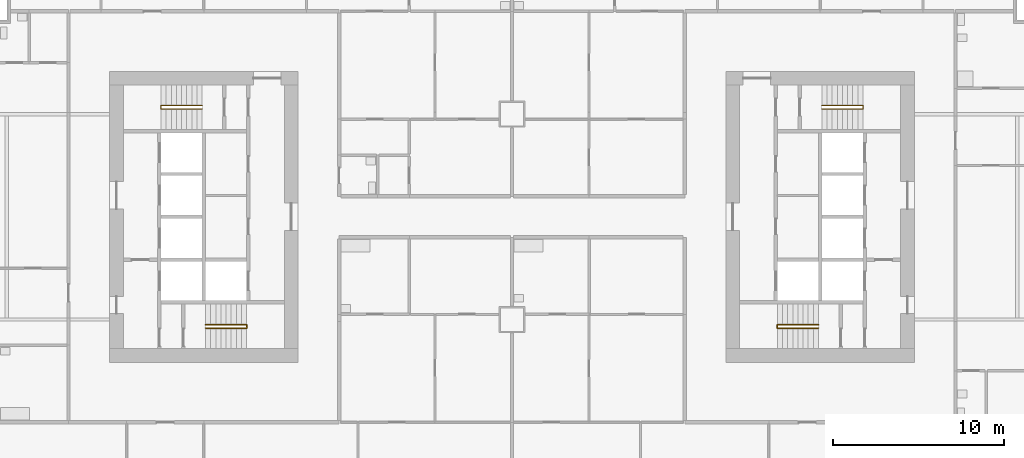
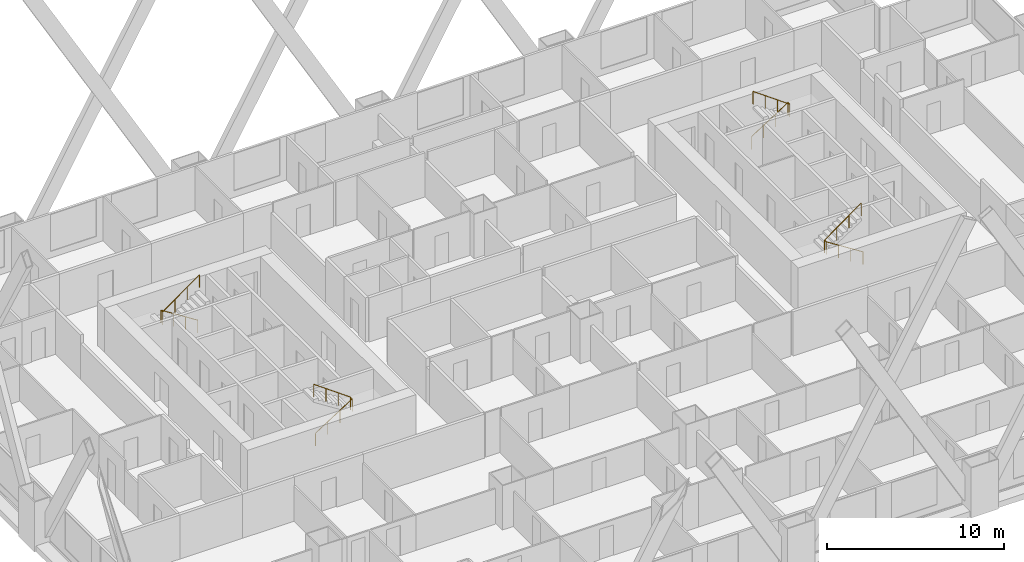
# One storey, part 12 of 13: 4 railings.
"""IFC4 building model written with IfcOpenShell, lengths in metres."""

import ifcopenshell
import ifcopenshell.guid

model = None  # the IFC model being written
_history = None  # IfcOwnerHistory: only IFC2X3 demands one
_inside = {}  # id of a spatial element -> (the spatial element, [elements in it])
_under = {}  # id of a project, library or spatial element -> (it, [spatial elements below it])
_declared = {}  # id of a project -> (the project, [libraries it declares])
_typed = {}  # id of a type object -> (the type object, [elements of that type])
_made_of = {}  # id of a material, layer set ... -> (it, [elements and type objects made of it])


def new_model(schema):
    """Start an empty IFC model of exactly this schema.

    Asked for "IFC4X3", IfcOpenShell would pick the latest addendum, in which some entities
    have other attributes; the version numbers below select the first issue.
    IFC2X3 requires an IfcOwnerHistory on every rooted entity: one is made here for all.
    """
    global model, _history
    if schema == "IFC4X3":
        model = ifcopenshell.file(schema_version=(4, 3, 0, 0))
    else:
        model = ifcopenshell.file(schema=schema)
    _inside.clear()
    _under.clear()
    _declared.clear()
    _typed.clear()
    _made_of.clear()
    _history = None
    if model.schema == "IFC2X3":
        org = make("IfcOrganization", Name="unknown")
        user = make(
            "IfcPersonAndOrganization",
            ThePerson=make("IfcPerson", FamilyName="unknown"),
            TheOrganization=org,
        )
        app = make(
            "IfcApplication",
            ApplicationDeveloper=org,
            Version="unknown",
            ApplicationFullName="unknown",
            ApplicationIdentifier="unknown",
        )
        _history = make(
            "IfcOwnerHistory",
            OwningUser=user,
            OwningApplication=app,
            ChangeAction="ADDED",
            CreationDate=0,
        )
    return model


def make(cls, **values):
    """One entity of the class cls with the attributes given. An attribute that is None is left unset."""
    return model.create_entity(
        cls, **{name: value for name, value in values.items() if value is not None}
    )


def rooted(cls, **values):
    """An entity with a GlobalId (a new one), such as an element, a storey or a relation."""
    return make(cls, GlobalId=ifcopenshell.guid.new(), OwnerHistory=_history, **values)


def si_unit(unit_type, name, prefix=None):
    """IfcSIUnit, for example si_unit("LENGTHUNIT", "METRE", prefix="MILLI")."""
    return make("IfcSIUnit", UnitType=unit_type, Prefix=prefix, Name=name)


def assignment(units):
    """IfcUnitAssignment: the units of a project."""
    return None if units is None else make("IfcUnitAssignment", Units=units)


def point(xyz):
    """IfcCartesianPoint."""
    return None if xyz is None else make("IfcCartesianPoint", Coordinates=xyz)


def direction(xyz):
    """IfcDirection."""
    return None if xyz is None else make("IfcDirection", DirectionRatios=xyz)


def frame(location, z_axis=None, x_axis=None):
    """IfcAxis2Placement3D, a coordinate frame: its origin and axes. An axis left out is left unset."""
    return make(
        "IfcAxis2Placement3D",
        Location=point(location),
        Axis=direction(z_axis),
        RefDirection=direction(x_axis),
    )


def frame_2d(location, x_axis=None):
    """IfcAxis2Placement2D, a coordinate frame in the plane: its origin and x axis."""
    return make(
        "IfcAxis2Placement2D", Location=point(location), RefDirection=direction(x_axis)
    )


def origin():
    """The frame at (0, 0, 0) with its axes left unset."""
    return frame((0.0, 0.0, 0.0))


def origin_2d():
    """The frame at (0, 0) in the plane with its x axis left unset."""
    return frame_2d((0.0, 0.0))


def place(relative_to, where):
    """IfcLocalPlacement: puts the frame where relative to a parent placement (None: the world)."""
    return make(
        "IfcLocalPlacement", PlacementRelTo=relative_to, RelativePlacement=where
    )


def context(
    kind, dimensions, precision=None, world=None, true_north=None, identifier=None
):
    """IfcGeometricRepresentationContext, for example the 3D "Model" context."""
    return make(
        "IfcGeometricRepresentationContext",
        ContextIdentifier=identifier,
        ContextType=kind,
        CoordinateSpaceDimension=dimensions,
        Precision=precision,
        WorldCoordinateSystem=world,
        TrueNorth=true_north,
    )


def subcontext(parent, identifier, kind, view, scale=None):
    """IfcGeometricRepresentationSubContext, for example "Body" below "Model"."""
    return make(
        "IfcGeometricRepresentationSubContext",
        ContextIdentifier=identifier,
        ContextType=kind,
        ParentContext=parent,
        TargetScale=scale,
        TargetView=view,
    )


def project(units=None, contexts=None):
    """IfcProject with its units and contexts."""
    return rooted(
        "IfcProject",
        Name="project",
        RepresentationContexts=contexts,
        UnitsInContext=assignment(units),
    )


def spatial(cls, under=None, at=None, **own):
    """A site, building, storey or space (cls), placed at a placement, below another one or the project."""
    s = rooted(cls, ObjectPlacement=at, **own)
    if under is not None:
        _under.setdefault(under.id(), (under, []))[1].append(s)
    return s


def profile(cls, at=None, kind="AREA", **sizes):
    """A parametric profile (cls). Its sizes go by their IFC names, for example OverallWidth=200.0."""
    return make(cls, ProfileType=kind, Position=at, **sizes)


def circle(**sizes):
    """IfcCircleProfileDef."""
    return profile("IfcCircleProfileDef", **sizes)


def extrude(swept, where, along, depth):
    """IfcExtrudedAreaSolid: the profile swept, set in the frame where, extruded along a direction by depth."""
    return make(
        "IfcExtrudedAreaSolid",
        SweptArea=swept,
        Position=where,
        ExtrudedDirection=direction(along),
        Depth=depth,
    )


def shape(context_of_items, identifier, shape_type, items):
    """IfcShapeRepresentation: the items that make up one representation, for example the "Body"."""
    return make(
        "IfcShapeRepresentation",
        ContextOfItems=context_of_items,
        RepresentationIdentifier=identifier,
        RepresentationType=shape_type,
        Items=items,
    )


def material(Name=None, Category=None):
    """IfcMaterial."""
    return make("IfcMaterial", Name=Name, Category=Category)


def made_of(thing, what):
    """Note that an element or type object is made of a material, layer set ...; save() writes the relation."""
    if what is not None:
        _made_of.setdefault(what.id(), (what, []))[1].append(thing)
    return thing


def type_object(cls, material=None, **own):
    """A type object (cls), such as IfcWallType, which elements share."""
    return made_of(rooted(cls, **own), material)


def element(
    cls,
    number,
    at=None,
    inside=None,
    cuts=None,
    type_object=None,
    material=None,
    context=None,
    identifier="Body",
    shape_type=None,
    held_by="IfcProductDefinitionShape",
    body=None,
    shapes=None,
    **own,
):
    """One element of the class cls, such as IfcWall. Its Tag is "e" and its number.

    at: its placement. inside: the storey or other place that contains it. cuts: it is an
    opening in that element (IfcRelVoidsElement). A single representation is given by context,
    identifier, shape_type and body (its items); several are given by shapes. held_by: the class
    of the entity that holds the representations. save() writes the other relations.
    """
    e = rooted(cls, Tag="e%d" % number, ObjectPlacement=at, **own)
    if body is not None:
        shapes = [shape(context, identifier, shape_type, body)]
    if shapes is not None:
        e.Representation = make(held_by, Representations=shapes)
    if inside is not None:
        _inside.setdefault(inside.id(), (inside, []))[1].append(e)
    if cuts is not None:
        rooted(
            "IfcRelVoidsElement", RelatingBuildingElement=cuts, RelatedOpeningElement=e
        )
    if type_object is not None:
        _typed.setdefault(type_object.id(), (type_object, []))[1].append(e)
    return made_of(e, material)


def aggregate(whole, parts):
    """IfcRelAggregates: a whole, such as a stair, and the parts it consists of."""
    return rooted("IfcRelAggregates", RelatingObject=whole, RelatedObjects=parts)


def save(model, path):
    """Write the relations noted so far, then the file.

    IfcRelAggregates (storeys below a building ...), IfcRelContainedInSpatialStructure (elements
    in a storey), IfcRelDefinesByType, IfcRelAssociatesMaterial and IfcRelDeclares: one each for
    every whole, place, type object, material and project.
    """
    for whole, parts in _under.values():
        aggregate(whole, parts)
    for where, things in _inside.values():
        rooted(
            "IfcRelContainedInSpatialStructure",
            RelatedElements=things,
            RelatingStructure=where,
        )
    for kind, things in _typed.values():
        rooted("IfcRelDefinesByType", RelatedObjects=things, RelatingType=kind)
    for what, things in _made_of.values():
        rooted("IfcRelAssociatesMaterial", RelatedObjects=things, RelatingMaterial=what)
    for by, libraries in _declared.values():
        rooted("IfcRelDeclares", RelatingContext=by, RelatedDefinitions=libraries)
    model.write(path)


model = new_model("IFC4")

# Units and contexts
model_context = context("Model", 3, precision=1e-05, world=origin(), true_north=direction((0.0, 1.0)))
body_context = subcontext(model_context, "Body", "Model", "MODEL_VIEW")
ifc_project = project(units=[si_unit("LENGTHUNIT", "METRE"), si_unit("AREAUNIT", "SQUARE_METRE"), si_unit("VOLUMEUNIT", "CUBIC_METRE"), si_unit("PLANEANGLEUNIT", "RADIAN"), si_unit("MASSUNIT", "GRAM", prefix="KILO")], contexts=[model_context])

# Site, building, storey
site_placement = place(None, origin())
site = spatial("IfcSite", under=ifc_project, at=site_placement, CompositionType="ELEMENT")
building_placement = place(site_placement, origin())
building = spatial("IfcBuilding", under=site, at=building_placement, Name="Kitamizu Gate Tower and Museum", CompositionType="ELEMENT")
storey_placement = place(building_placement, frame((0.0, 0.0, 30.0)))
storey = spatial("IfcBuildingStorey", under=building, at=storey_placement, Name="L05", CompositionType="ELEMENT", Elevation=30.0)

# Railings
ifc_material = material(Name="Stainless steel SUS304", Category="steel")
railing_type = type_object("IfcRailingType", Name="Stair handrail 900", PredefinedType="HANDRAIL", material=ifc_material)
railing_1_placement = place(storey_placement, frame((18.10009765625, 23.5, 0.191650390625)))
element("IfcRailing", 1, at=railing_1_placement, inside=storey, type_object=railing_type, Name="Stair handrail ST1", PredefinedType="HANDRAIL", context=body_context, shape_type="SweptSolid", body=[
    extrude(circle(Radius=0.02392578125, at=origin_2d()), frame((0.0, 0.0, 0.8759765625), z_axis=(0.842668169335, 0.0, 0.538433242278), x_axis=(0.0, 1.0, 0.0)), (0.0, 0.0, 1.0), 2.847900390625),
    extrude(circle(Radius=0.02392578125, at=origin_2d()), frame((2.39990234375, 0.0, 2.4091796875), z_axis=(0.0, 1.0, 0.0), x_axis=(-1.0, 0.0, 0.0)), (0.0, 0.0, 1.0), 0.199951171875),
    extrude(circle(Radius=0.02392578125, at=origin_2d()), frame((2.39990234375, 0.199951171875, 2.4091796875), z_axis=(-0.81202760531, 0.0, 0.583619026604), x_axis=(0.0, -1.0, 0.0)), (0.0, 0.0, 1.0), 2.955322265625),
    extrude(circle(Radius=0.02099609375, at=origin_2d()), origin(), (0.0, 0.0, 1.0), 0.851806640625),
    extrude(circle(Radius=0.02099609375, at=origin_2d()), frame((0.800048828125, 0.0, 0.51123046875)), (0.0, 0.0, 1.0), 0.851806640625),
    extrude(circle(Radius=0.02099609375, at=origin_2d()), frame((1.599853515625, 0.0, 1.022216796875)), (0.0, 0.0, 1.0), 0.851806640625),
    extrude(circle(Radius=0.02099609375, at=origin_2d()), frame((2.39990234375, 0.0, 1.533447265625)), (0.0, 0.0, 1.0), 0.851806640625),
    extrude(circle(Radius=0.02099609375, at=origin_2d()), frame((2.39990234375, 0.199951171875, 1.533447265625)), (0.0, 0.0, 1.0), 0.851806640625),
    extrude(circle(Radius=0.02099609375, at=origin_2d()), frame((1.599853515625, 0.199951171875, 2.1083984375)), (0.0, 0.0, 1.0), 0.851806640625),
    extrude(circle(Radius=0.02099609375, at=origin_2d()), frame((0.800048828125, 0.199951171875, 2.683349609375)), (0.0, 0.0, 1.0), 0.851806640625),
    extrude(circle(Radius=0.02099609375, at=origin_2d()), frame((0.0, 0.199951171875, 3.25830078125)), (0.0, 0.0, 1.0), 0.851806640625),
])
railing_2_placement = place(storey_placement, frame((17.89990234375, 36.5, 0.191650390625)))
element("IfcRailing", 2, at=railing_2_placement, inside=storey, type_object=railing_type, Name="Stair handrail ST2", PredefinedType="HANDRAIL", context=body_context, shape_type="SweptSolid", body=[
    extrude(circle(Radius=0.02392578125, at=origin_2d()), frame((0.0, 0.0, 0.8759765625), z_axis=(-0.842668169335, 0.0, 0.538433242278), x_axis=(0.0, -1.0, 0.0)), (0.0, 0.0, 1.0), 2.847900390625),
    extrude(circle(Radius=0.02392578125, at=origin_2d()), frame((-2.39990234375, 0.0, 2.4091796875), z_axis=(0.0, -1.0, 0.0), x_axis=(1.0, 0.0, 0.0)), (0.0, 0.0, 1.0), 0.199951171875),
    extrude(circle(Radius=0.02392578125, at=origin_2d()), frame((-2.39990234375, -0.199951171875, 2.4091796875), z_axis=(0.81202760531, 0.0, 0.583619026604), x_axis=(0.0, 1.0, 0.0)), (0.0, 0.0, 1.0), 2.955322265625),
    extrude(circle(Radius=0.02099609375, at=origin_2d()), origin(), (0.0, 0.0, 1.0), 0.851806640625),
    extrude(circle(Radius=0.02099609375, at=origin_2d()), frame((-0.800048828125, 0.0, 0.51123046875)), (0.0, 0.0, 1.0), 0.851806640625),
    extrude(circle(Radius=0.02099609375, at=origin_2d()), frame((-1.599853515625, 0.0, 1.022216796875)), (0.0, 0.0, 1.0), 0.851806640625),
    extrude(circle(Radius=0.02099609375, at=origin_2d()), frame((-2.39990234375, 0.0, 1.533447265625)), (0.0, 0.0, 1.0), 0.851806640625),
    extrude(circle(Radius=0.02099609375, at=origin_2d()), frame((-2.39990234375, -0.199951171875, 1.533447265625)), (0.0, 0.0, 1.0), 0.851806640625),
    extrude(circle(Radius=0.02099609375, at=origin_2d()), frame((-1.599853515625, -0.199951171875, 2.1083984375)), (0.0, 0.0, 1.0), 0.851806640625),
    extrude(circle(Radius=0.02099609375, at=origin_2d()), frame((-0.800048828125, -0.199951171875, 2.683349609375)), (0.0, 0.0, 1.0), 0.851806640625),
    extrude(circle(Radius=0.02099609375, at=origin_2d()), frame((0.0, -0.199951171875, 3.25830078125)), (0.0, 0.0, 1.0), 0.851806640625),
])
railing_3_placement = place(storey_placement, frame((53.89990234375, 23.5, 0.191650390625)))
element("IfcRailing", 3, at=railing_3_placement, inside=storey, type_object=railing_type, Name="Stair handrail ST3", PredefinedType="HANDRAIL", context=body_context, shape_type="SweptSolid", body=[
    extrude(circle(Radius=0.02392578125, at=origin_2d()), frame((0.0, 0.0, 0.8759765625), z_axis=(-0.842668169335, 0.0, 0.538433242278), x_axis=(0.0, -1.0, 0.0)), (0.0, 0.0, 1.0), 2.847900390625),
    extrude(circle(Radius=0.02392578125, at=origin_2d()), frame((-2.39990234375, 0.0, 2.4091796875), z_axis=(0.0, 1.0, 0.0), x_axis=(-1.0, 0.0, 0.0)), (0.0, 0.0, 1.0), 0.199951171875),
    extrude(circle(Radius=0.02392578125, at=origin_2d()), frame((-2.39990234375, 0.199951171875, 2.4091796875), z_axis=(0.81202760531, 0.0, 0.583619026604), x_axis=(0.0, 1.0, 0.0)), (0.0, 0.0, 1.0), 2.955322265625),
    extrude(circle(Radius=0.02099609375, at=origin_2d()), origin(), (0.0, 0.0, 1.0), 0.851806640625),
    extrude(circle(Radius=0.02099609375, at=origin_2d()), frame((-0.800048828125, 0.0, 0.51123046875)), (0.0, 0.0, 1.0), 0.851806640625),
    extrude(circle(Radius=0.02099609375, at=origin_2d()), frame((-1.599853515625, 0.0, 1.022216796875)), (0.0, 0.0, 1.0), 0.851806640625),
    extrude(circle(Radius=0.02099609375, at=origin_2d()), frame((-2.39990234375, 0.0, 1.533447265625)), (0.0, 0.0, 1.0), 0.851806640625),
    extrude(circle(Radius=0.02099609375, at=origin_2d()), frame((-2.39990234375, 0.199951171875, 1.533447265625)), (0.0, 0.0, 1.0), 0.851806640625),
    extrude(circle(Radius=0.02099609375, at=origin_2d()), frame((-1.599853515625, 0.199951171875, 2.1083984375)), (0.0, 0.0, 1.0), 0.851806640625),
    extrude(circle(Radius=0.02099609375, at=origin_2d()), frame((-0.800048828125, 0.199951171875, 2.683349609375)), (0.0, 0.0, 1.0), 0.851806640625),
    extrude(circle(Radius=0.02099609375, at=origin_2d()), frame((0.0, 0.199951171875, 3.25830078125)), (0.0, 0.0, 1.0), 0.851806640625),
])
railing_4_placement = place(storey_placement, frame((54.10009765625, 36.5, 0.191650390625)))
element("IfcRailing", 4, at=railing_4_placement, inside=storey, type_object=railing_type, Name="Stair handrail ST4", PredefinedType="HANDRAIL", context=body_context, shape_type="SweptSolid", body=[
    extrude(circle(Radius=0.02392578125, at=origin_2d()), frame((0.0, 0.0, 0.8759765625), z_axis=(0.842668169335, 0.0, 0.538433242278), x_axis=(0.0, 1.0, 0.0)), (0.0, 0.0, 1.0), 2.847900390625),
    extrude(circle(Radius=0.02392578125, at=origin_2d()), frame((2.39990234375, 0.0, 2.4091796875), z_axis=(0.0, -1.0, 0.0), x_axis=(1.0, 0.0, 0.0)), (0.0, 0.0, 1.0), 0.199951171875),
    extrude(circle(Radius=0.02392578125, at=origin_2d()), frame((2.39990234375, -0.199951171875, 2.4091796875), z_axis=(-0.81202760531, 0.0, 0.583619026604), x_axis=(0.0, -1.0, 0.0)), (0.0, 0.0, 1.0), 2.955322265625),
    extrude(circle(Radius=0.02099609375, at=origin_2d()), origin(), (0.0, 0.0, 1.0), 0.851806640625),
    extrude(circle(Radius=0.02099609375, at=origin_2d()), frame((0.800048828125, 0.0, 0.51123046875)), (0.0, 0.0, 1.0), 0.851806640625),
    extrude(circle(Radius=0.02099609375, at=origin_2d()), frame((1.599853515625, 0.0, 1.022216796875)), (0.0, 0.0, 1.0), 0.851806640625),
    extrude(circle(Radius=0.02099609375, at=origin_2d()), frame((2.39990234375, 0.0, 1.533447265625)), (0.0, 0.0, 1.0), 0.851806640625),
    extrude(circle(Radius=0.02099609375, at=origin_2d()), frame((2.39990234375, -0.199951171875, 1.533447265625)), (0.0, 0.0, 1.0), 0.851806640625),
    extrude(circle(Radius=0.02099609375, at=origin_2d()), frame((1.599853515625, -0.199951171875, 2.1083984375)), (0.0, 0.0, 1.0), 0.851806640625),
    extrude(circle(Radius=0.02099609375, at=origin_2d()), frame((0.800048828125, -0.199951171875, 2.683349609375)), (0.0, 0.0, 1.0), 0.851806640625),
    extrude(circle(Radius=0.02099609375, at=origin_2d()), frame((0.0, -0.199951171875, 3.25830078125)), (0.0, 0.0, 1.0), 0.851806640625),
])

save(model, "model.ifc")
